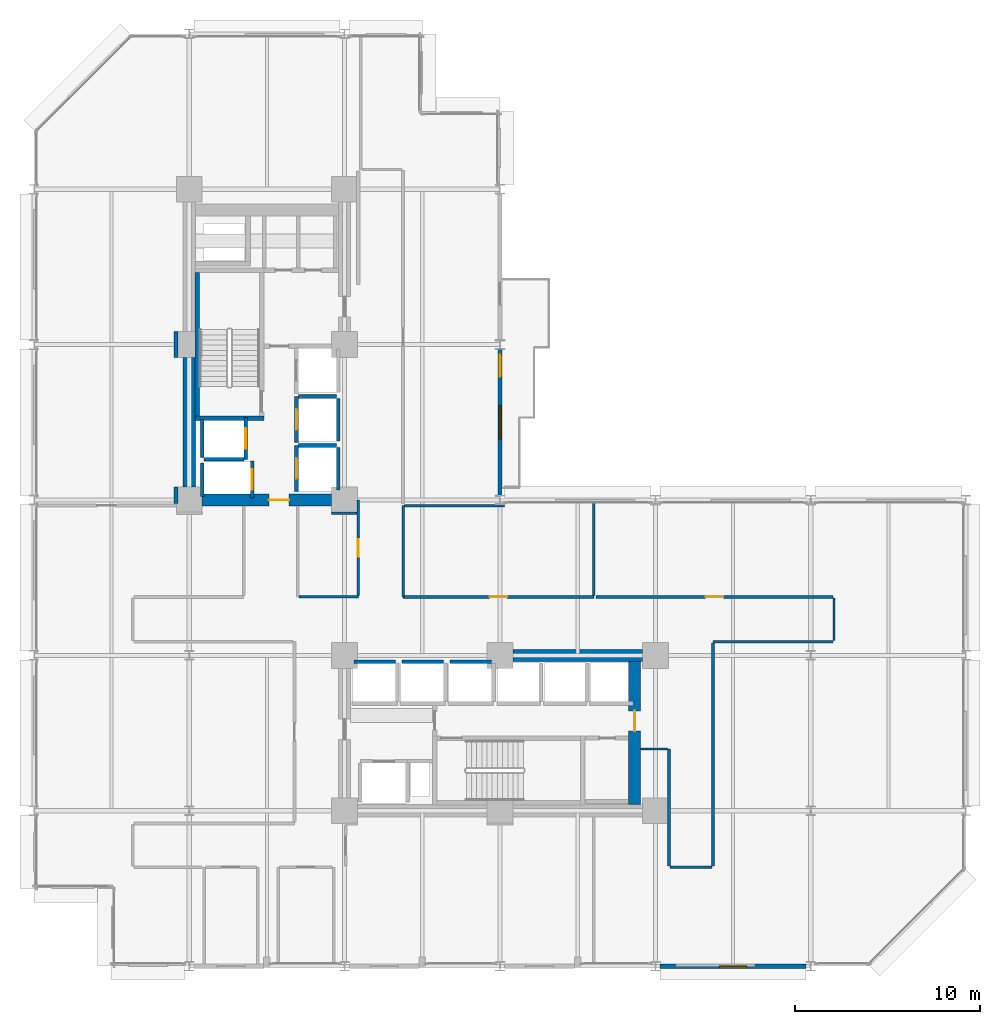
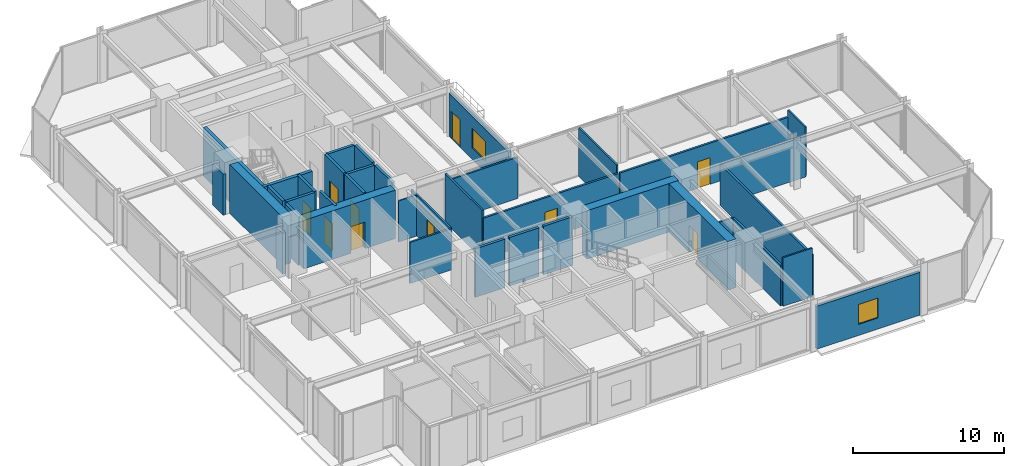
# One storey, part 21 of 25: 38 walls, 10 doors, 2 windows, 12 openings.
"""IFC4 building model written with IfcOpenShell, lengths in metres."""

from ifc_helpers import new_model, si_unit, direction, frame, frame_2d, origin, place, context, subcontext, project, spatial, rectangle, extrude, material, layer, layer_set, type_object, element, fill, save


model = new_model("IFC4")

# Units and contexts
model_context = context("Model", 3, precision=1e-05, world=origin(), true_north=direction((0.0, 1.0)))
body_context = subcontext(model_context, "Body", "Model", "MODEL_VIEW")
ifc_project = project(units=[si_unit("LENGTHUNIT", "METRE"), si_unit("AREAUNIT", "SQUARE_METRE"), si_unit("VOLUMEUNIT", "CUBIC_METRE"), si_unit("PLANEANGLEUNIT", "RADIAN"), si_unit("MASSUNIT", "GRAM", prefix="KILO")], contexts=[model_context])

# Site, building, storey
site_placement = place(None, origin())
site = spatial("IfcSite", under=ifc_project, at=site_placement, CompositionType="ELEMENT")
building_placement = place(site_placement, origin())
building = spatial("IfcBuilding", under=site, at=building_placement, Name="Nerrivon Quay Data Exchange", CompositionType="ELEMENT")
storey_placement = place(building_placement, frame((0.0, 0.0, 41.60009765625)))
storey = spatial("IfcBuildingStorey", under=building, at=storey_placement, Name="L09", CompositionType="ELEMENT", Elevation=41.60009765625)

# Wall, opening, window
ifc_material_1 = material(Name="Architectural terracotta precast concrete N50 (50 MPa)", Category="masonry")
ifc_layer_1 = layer(ifc_material_1, 0.239990234375)
ifc_layer_set_1 = layer_set([ifc_layer_1], Name="Architectural terracotta precast concrete N50 (50 MPa)")
wall_type_1 = type_object("IfcWallType", Name="EW-PREC-240", PredefinedType="STANDARD", material=ifc_layer_set_1)
wall_1_placement = place(storey_placement, frame((41.75, 0.0, 0.0), z_axis=(0.0, 0.0, 1.0), x_axis=(-1.0, 0.0, 0.0)))
wall_1 = element("IfcWall", 1, at=wall_1_placement, inside=storey, type_object=wall_type_1, Name="L09 Podium Precast Spandrel Wall 3", PredefinedType="STANDARD", context=body_context, shape_type="SweptSolid", body=[
    extrude(rectangle(XDim=7.89990234375, YDim=0.239990234375, at=frame_2d((3.949951171875, 0.0))), origin(), (0.0, 0.0, 1.0), 3.470947265625),
])
opening_1_placement = place(wall_1_placement, frame((3.199951171875, 0.0, 0.89990234375)))
opening_1 = element("IfcOpeningElement", 2, at=opening_1_placement, cuts=wall_1, Name="Opening WN4", PredefinedType="OPENING", context=body_context, shape_type="SweptSolid", body=[
    extrude(rectangle(XDim=1.5, YDim=1.60009765625, at=frame_2d((0.75, 0.800048828125))), frame((0.0, 0.1298828125, 0.0), z_axis=(0.0, -1.0, 0.0), x_axis=(1.0, 0.0, 0.0)), (0.0, 0.0, 1.0), 0.260009765625),
])
ifc_material_2 = material(Name="Double-glazed low-E solar control glass", Category="glass")
window_type_1 = type_object("IfcWindowType", Name="WIN-W4-1500x1600", PartitioningType="SINGLE_PANEL", PredefinedType="WINDOW", material=ifc_material_2)
window_1_placement = place(opening_1_placement, origin())
window_1 = element("IfcWindow", 3, at=window_1_placement, inside=storey, type_object=window_type_1, Name="L09 Solar Facade Window 3", OverallHeight=1.60009765625, OverallWidth=1.5, PartitioningType="SINGLE_PANEL", PredefinedType="WINDOW", context=body_context, shape_type="SweptSolid", body=[
    extrude(rectangle(XDim=1.5, YDim=1.60009765625, at=frame_2d((0.75, 0.800048828125))), frame((0.0, 0.030029296875, 0.0), z_axis=(0.0, -1.0, 0.0), x_axis=(1.0, 0.0, 0.0)), (0.0, 0.0, 1.0), 0.06005859375),
])
fill(opening_1, window_1)

# Wall, openings, door, window
wall_2_placement = place(storey_placement, frame((25.199951171875, 33.35009765625, 0.0), z_axis=(0.0, 0.0, 1.0), x_axis=(0.0, -1.0, 0.0)))
wall_2 = element("IfcWall", 4, at=wall_2_placement, inside=storey, type_object=wall_type_1, Name="L09 Terrace Host Wall 27", PredefinedType="STANDARD", context=body_context, shape_type="SweptSolid", body=[
    extrude(rectangle(XDim=7.900146484375, YDim=0.239990234375, at=frame_2d((3.9501953125, 0.0))), origin(), (0.0, 0.0, 1.0), 3.470947265625),
])
opening_2_placement = place(wall_2_placement, frame((0.300048828125, 0.0, 0.0)))
opening_2 = element("IfcOpeningElement", 5, at=opening_2_placement, cuts=wall_2, Name="Opening TD1", PredefinedType="OPENING", context=body_context, shape_type="SweptSolid", body=[
    extrude(rectangle(XDim=1.199951171875, YDim=2.199951171875, at=frame_2d((0.60009765625, 1.10009765625))), frame((0.0, 0.1298828125, 0.0), z_axis=(0.0, -1.0, 0.0), x_axis=(1.0, 0.0, 0.0)), (0.0, 0.0, 1.0), 0.260009765625),
])
opening_3_placement = place(wall_2_placement, frame((3.050048828125, 0.0, 0.89990234375)))
opening_3 = element("IfcOpeningElement", 6, at=opening_3_placement, cuts=wall_2, Name="Opening WN2", PredefinedType="OPENING", context=body_context, shape_type="SweptSolid", body=[
    extrude(rectangle(XDim=1.800048828125, YDim=1.60009765625, at=frame_2d((0.89990234375, 0.800048828125))), frame((0.0, 0.1298828125, 0.0), z_axis=(0.0, -1.0, 0.0), x_axis=(1.0, 0.0, 0.0)), (0.0, 0.0, 1.0), 0.260009765625),
])
door_type_1 = type_object("IfcDoorType", Name="DR-TERR-1200x2200", OperationType="NOTDEFINED", PredefinedType="DOOR", material=ifc_material_2)
door_1_placement = place(opening_2_placement, origin())
door_1 = element("IfcDoor", 7, at=door_1_placement, inside=storey, type_object=door_type_1, Name="L09 Outdoor Terrace Access Door 27", OperationType="SINGLE_SWING_RIGHT", OverallHeight=2.199951171875, OverallWidth=1.199951171875, PredefinedType="DOOR", context=body_context, shape_type="SweptSolid", body=[
    extrude(rectangle(XDim=1.199951171875, YDim=2.199951171875, at=frame_2d((0.60009765625, 1.10009765625))), frame((0.0, 0.02490234375, 0.0), z_axis=(0.0, -1.0, 0.0), x_axis=(1.0, 0.0, 0.0)), (0.0, 0.0, 1.0), 0.050048828125),
])
fill(opening_2, door_1)
window_type_2 = type_object("IfcWindowType", Name="WIN-W2-1800x1600", PartitioningType="SINGLE_PANEL", PredefinedType="WINDOW", material=ifc_material_2)
window_2_placement = place(opening_3_placement, origin())
window_2 = element("IfcWindow", 8, at=window_2_placement, inside=storey, type_object=window_type_2, Name="L09 Terrace Side Window 27", OverallHeight=1.60009765625, OverallWidth=1.800048828125, PartitioningType="SINGLE_PANEL", PredefinedType="WINDOW", context=body_context, shape_type="SweptSolid", body=[
    extrude(rectangle(XDim=1.800048828125, YDim=1.60009765625, at=frame_2d((0.89990234375, 0.800048828125))), frame((0.0, 0.030029296875, 0.0), z_axis=(0.0, -1.0, 0.0), x_axis=(1.0, 0.0, 0.0)), (0.0, 0.0, 1.0), 0.06005859375),
])
fill(opening_3, window_2)

# Wall
ifc_material_3 = material(Name="Concrete N80 (80 MPa)", Category="concrete")
ifc_layer_2 = layer(ifc_material_3, 0.64990234375)
ifc_layer_set_2 = layer_set([ifc_layer_2], Name="Concrete N80 (80 MPa)")
wall_type_2 = type_object("IfcWallType", Name="WALL-CW-850", PredefinedType="SHEAR", material=ifc_layer_set_2)
wall_3_placement = place(storey_placement, frame((8.39990234375, 25.89990234375, 0.0), z_axis=(0.0, 0.0, 1.0), x_axis=(0.0, 1.0, 0.0)))
element("IfcWall", 9, at=wall_3_placement, inside=storey, type_object=wall_type_2, Name="L09 West Split-Core Shear Wall WCW-W1", PredefinedType="SHEAR", context=body_context, shape_type="SweptSolid", body=[
    extrude(rectangle(XDim=7.0, YDim=0.64990234375, at=frame_2d((3.5, 0.0))), origin(), (0.0, 0.0, 1.0), 3.9248046875),
])

# Wall, opening, door
wall_4_placement = place(storey_placement, frame((9.10009765625, 25.199951171875, 0.0), z_axis=(0.0, 0.0, 1.0), x_axis=(1.0, 0.0, 0.0)))
wall_4 = element("IfcWall", 10, at=wall_4_placement, inside=storey, type_object=wall_type_2, Name="L09 West Split-Core Shear Wall WCW-S1", PredefinedType="SHEAR", context=body_context, shape_type="SweptSolid", body=[
    extrude(rectangle(XDim=7.0, YDim=0.64990234375, at=frame_2d((3.5, 0.0))), origin(), (0.0, 0.0, 1.0), 3.9248046875),
])
opening_4_placement = place(wall_4_placement, frame((3.60009765625, 0.0, 0.0)))
opening_4 = element("IfcOpeningElement", 11, at=opening_4_placement, cuts=wall_4, Name="Opening FD-120", PredefinedType="OPENING", context=body_context, shape_type="SweptSolid", body=[
    extrude(rectangle(XDim=1.10009765625, YDim=2.14990234375, at=frame_2d((0.550048828125, 1.074951171875))), frame((0.0, 0.3349609375, 0.0), z_axis=(0.0, -1.0, 0.0), x_axis=(1.0, 0.0, 0.0)), (0.0, 0.0, 1.0), 0.669921875),
])
ifc_material_4 = material(Name="Powder-coated galvanized steel sheet", Category="steel")
door_type_2 = type_object("IfcDoorType", Name="DR-FD120-1100", OperationType="NOTDEFINED", PredefinedType="DOOR", material=ifc_material_4)
door_2_placement = place(opening_4_placement, origin())
door_2 = element("IfcDoor", 12, at=door_2_placement, inside=storey, type_object=door_type_2, Name="L09 West Core Lobby Fire Door", OperationType="SINGLE_SWING_RIGHT", OverallHeight=2.14990234375, OverallWidth=1.10009765625, PredefinedType="DOOR", context=body_context, shape_type="SweptSolid", body=[
    extrude(rectangle(XDim=1.10009765625, YDim=2.14990234375, at=frame_2d((0.550048828125, 1.074951171875))), frame((0.0, 0.02490234375, 0.0), z_axis=(0.0, -1.0, 0.0), x_axis=(1.0, 0.0, 0.0)), (0.0, 0.0, 1.0), 0.050048828125),
])
fill(opening_4, door_2)

wall_5_placement = place(storey_placement, frame((32.47509765625, 8.72509765625, 0.0), z_axis=(0.0, 0.0, 1.0), x_axis=(0.0, 1.0, 0.0)))
wall_5 = element("IfcWall", 13, at=wall_5_placement, inside=storey, type_object=wall_type_2, Name="L09 East Split-Core Shear Wall ECW-E1", PredefinedType="SHEAR", context=body_context, shape_type="SweptSolid", body=[
    extrude(rectangle(XDim=7.75, YDim=0.64990234375, at=frame_2d((3.875, 0.0))), origin(), (0.0, 0.0, 1.0), 3.9248046875),
])
opening_5_placement = place(wall_5_placement, frame((3.97509765625, 0.0, 0.0)))
opening_5 = element("IfcOpeningElement", 14, at=opening_5_placement, cuts=wall_5, Name="Opening FD-120", PredefinedType="OPENING", context=body_context, shape_type="SweptSolid", body=[
    extrude(rectangle(XDim=1.10009765625, YDim=2.14990234375, at=frame_2d((0.550048828125, 1.074951171875))), frame((0.0, 0.3349609375, 0.0), z_axis=(0.0, -1.0, 0.0), x_axis=(1.0, 0.0, 0.0)), (0.0, 0.0, 1.0), 0.669921875),
])
door_3_placement = place(opening_5_placement, origin())
door_3 = element("IfcDoor", 15, at=door_3_placement, inside=storey, type_object=door_type_2, Name="L09 East Core Lobby Fire Door", OperationType="SINGLE_SWING_LEFT", OverallHeight=2.14990234375, OverallWidth=1.10009765625, PredefinedType="DOOR", context=body_context, shape_type="SweptSolid", body=[
    extrude(rectangle(XDim=1.10009765625, YDim=2.14990234375, at=frame_2d((0.550048828125, 1.074951171875))), frame((0.0, 0.02490234375, 0.0), z_axis=(0.0, -1.0, 0.0), x_axis=(1.0, 0.0, 0.0)), (0.0, 0.0, 1.0), 0.050048828125),
])
fill(opening_5, door_3)

# Wall
wall_6_placement = place(storey_placement, frame((25.89990234375, 16.800048828125, 0.0), z_axis=(0.0, 0.0, 1.0), x_axis=(1.0, 0.0, 0.0)))
element("IfcWall", 16, at=wall_6_placement, inside=storey, type_object=wall_type_2, Name="L09 East Split-Core Shear Wall ECW-N1", PredefinedType="SHEAR", context=body_context, shape_type="SweptSolid", body=[
    extrude(rectangle(XDim=7.0, YDim=0.64990234375, at=frame_2d((3.5, 0.0))), origin(), (0.0, 0.0, 1.0), 3.9248046875),
])

# Wall, opening, door
ifc_material_5 = material(Name="Gypsum plasterboard on cold-formed framing", Category="gypsum")
ifc_layer_3 = layer(ifc_material_5, 0.199951171875)
ifc_layer_set_3 = layer_set([ifc_layer_3], Name="Gypsum plasterboard on cold-formed framing")
wall_type_3 = type_object("IfcWallType", Name="WALL-FW-200", PredefinedType="PARTITIONING", material=ifc_layer_set_3)
wall_7_placement = place(storey_placement, frame((11.449951171875, 27.39990234375, 0.0), z_axis=(0.0, 0.0, 1.0), x_axis=(0.0, 1.0, 0.0)))
wall_7 = element("IfcWall", 17, at=wall_7_placement, inside=storey, type_object=wall_type_3, Name="L09 Lift Front Wall FFL-1", PredefinedType="PARTITIONING", context=body_context, shape_type="SweptSolid", body=[
    extrude(rectangle(XDim=2.25, YDim=0.199951171875, at=frame_2d((1.125, 0.0))), origin(), (0.0, 0.0, 1.0), 3.9248046875),
])
opening_6_placement = place(wall_7_placement, frame((0.574951171875, 0.0, 0.0)))
opening_6 = element("IfcOpeningElement", 18, at=opening_6_placement, cuts=wall_7, Name="Opening LD-120", PredefinedType="OPENING", context=body_context, shape_type="SweptSolid", body=[
    extrude(rectangle(XDim=1.10009765625, YDim=2.199951171875, at=frame_2d((0.550048828125, 1.10009765625))), frame((0.0, 0.10986328125, 0.0), z_axis=(0.0, -1.0, 0.0), x_axis=(1.0, 0.0, 0.0)), (0.0, 0.0, 1.0), 0.219970703125),
])
door_type_3 = type_object("IfcDoorType", Name="DR-LIFT-LD120", OperationType="DOUBLE_DOOR_SLIDING", PredefinedType="DOOR", material=ifc_material_4)
door_4_placement = place(opening_6_placement, origin())
door_4 = element("IfcDoor", 19, at=door_4_placement, inside=storey, type_object=door_type_3, Name="L09 Lift Landing Sliding Door FFL-1", OperationType="DOUBLE_DOOR_SLIDING", OverallHeight=2.199951171875, OverallWidth=1.10009765625, PredefinedType="DOOR", context=body_context, shape_type="SweptSolid", body=[
    extrude(rectangle(XDim=1.10009765625, YDim=2.199951171875, at=frame_2d((0.550048828125, 1.10009765625))), frame((0.0, 0.02490234375, 0.0), z_axis=(0.0, -1.0, 0.0), x_axis=(1.0, 0.0, 0.0)), (0.0, 0.0, 1.0), 0.050048828125),
])
fill(opening_6, door_4)

# Walls
wall_8_placement = place(storey_placement, frame((9.10009765625, 27.5, 0.0), z_axis=(0.0, 0.0, 1.0), x_axis=(0.0, 1.0, 0.0)))
element("IfcWall", 20, at=wall_8_placement, inside=storey, type_object=wall_type_3, Name="L09 Lift Shaft Wall FFL-1 WEST", PredefinedType="PARTITIONING", context=body_context, shape_type="SweptSolid", body=[
    extrude(rectangle(XDim=2.050048828125, YDim=0.199951171875, at=frame_2d((1.02490234375, 0.0))), origin(), (0.0, 0.0, 1.0), 3.9248046875),
])
wall_9_placement = place(storey_placement, frame((9.199951171875, 27.39990234375, 0.0), z_axis=(0.0, 0.0, 1.0), x_axis=(1.0, 0.0, 0.0)))
element("IfcWall", 21, at=wall_9_placement, inside=storey, type_object=wall_type_3, Name="L09 Lift Shaft Wall FFL-1 SOUTH", PredefinedType="PARTITIONING", context=body_context, shape_type="SweptSolid", body=[
    extrude(rectangle(XDim=2.150146484375, YDim=0.199951171875, at=frame_2d((1.0751953125, 0.0))), origin(), (0.0, 0.0, 1.0), 3.9248046875),
])

# Wall, opening, door
wall_10_placement = place(storey_placement, frame((11.800048828125, 25.300048828125, 0.0), z_axis=(0.0, 0.0, 1.0), x_axis=(0.0, 1.0, 0.0)))
wall_10 = element("IfcWall", 22, at=wall_10_placement, inside=storey, type_object=wall_type_3, Name="L09 Lift Front Wall SVL-1", PredefinedType="PARTITIONING", context=body_context, shape_type="SweptSolid", body=[
    extrude(rectangle(XDim=2.0, YDim=0.199951171875, at=frame_2d((1.0, 0.0))), origin(), (0.0, 0.0, 1.0), 3.9248046875),
])
opening_7_placement = place(wall_10_placement, frame((0.449951171875, 0.0, 0.0)))
opening_7 = element("IfcOpeningElement", 23, at=opening_7_placement, cuts=wall_10, Name="Opening LD-120", PredefinedType="OPENING", context=body_context, shape_type="SweptSolid", body=[
    extrude(rectangle(XDim=1.10009765625, YDim=2.199951171875, at=frame_2d((0.550048828125, 1.10009765625))), frame((0.0, 0.10986328125, 0.0), z_axis=(0.0, -1.0, 0.0), x_axis=(1.0, 0.0, 0.0)), (0.0, 0.0, 1.0), 0.219970703125),
])
door_5_placement = place(opening_7_placement, origin())
door_5 = element("IfcDoor", 24, at=door_5_placement, inside=storey, type_object=door_type_3, Name="L09 Lift Landing Sliding Door SVL-1", OperationType="DOUBLE_DOOR_SLIDING", OverallHeight=2.199951171875, OverallWidth=1.10009765625, PredefinedType="DOOR", context=body_context, shape_type="SweptSolid", body=[
    extrude(rectangle(XDim=1.10009765625, YDim=2.199951171875, at=frame_2d((0.550048828125, 1.10009765625))), frame((0.0, 0.02490234375, 0.0), z_axis=(0.0, -1.0, 0.0), x_axis=(1.0, 0.0, 0.0)), (0.0, 0.0, 1.0), 0.050048828125),
])
fill(opening_7, door_5)

# Wall
wall_11_placement = place(storey_placement, frame((9.10009765625, 25.39990234375, 0.0), z_axis=(0.0, 0.0, 1.0), x_axis=(0.0, 1.0, 0.0)))
element("IfcWall", 25, at=wall_11_placement, inside=storey, type_object=wall_type_3, Name="L09 Lift Shaft Wall SVL-1 WEST", PredefinedType="PARTITIONING", context=body_context, shape_type="SweptSolid", body=[
    extrude(rectangle(XDim=1.800048828125, YDim=0.199951171875, at=frame_2d((0.89990234375, 0.0))), origin(), (0.0, 0.0, 1.0), 3.9248046875),
])

# Wall, opening, door
wall_12_placement = place(storey_placement, frame((14.199951171875, 25.64990234375, 0.0), z_axis=(0.0, 0.0, 1.0), x_axis=(0.0, 1.0, 0.0)))
wall_12 = element("IfcWall", 26, at=wall_12_placement, inside=storey, type_object=wall_type_3, Name="L09 Lift Front Wall PL1", PredefinedType="PARTITIONING", context=body_context, shape_type="SweptSolid", body=[
    extrude(rectangle(XDim=2.5, YDim=0.199951171875, at=frame_2d((1.25, 0.0))), origin(), (0.0, 0.0, 1.0), 3.9248046875),
])
opening_8_placement = place(wall_12_placement, frame((0.699951171875, 0.0, 0.0)))
opening_8 = element("IfcOpeningElement", 27, at=opening_8_placement, cuts=wall_12, Name="Opening LD-120", PredefinedType="OPENING", context=body_context, shape_type="SweptSolid", body=[
    extrude(rectangle(XDim=1.10009765625, YDim=2.199951171875, at=frame_2d((0.550048828125, 1.10009765625))), frame((0.0, 0.10986328125, 0.0), z_axis=(0.0, -1.0, 0.0), x_axis=(1.0, 0.0, 0.0)), (0.0, 0.0, 1.0), 0.219970703125),
])
door_6_placement = place(opening_8_placement, origin())
door_6 = element("IfcDoor", 28, at=door_6_placement, inside=storey, type_object=door_type_3, Name="L09 Lift Landing Sliding Door PL1", OperationType="DOUBLE_DOOR_SLIDING", OverallHeight=2.199951171875, OverallWidth=1.10009765625, PredefinedType="DOOR", context=body_context, shape_type="SweptSolid", body=[
    extrude(rectangle(XDim=1.10009765625, YDim=2.199951171875, at=frame_2d((0.550048828125, 1.10009765625))), frame((0.0, 0.02490234375, 0.0), z_axis=(0.0, -1.0, 0.0), x_axis=(1.0, 0.0, 0.0)), (0.0, 0.0, 1.0), 0.050048828125),
])
fill(opening_8, door_6)

# Walls
wall_13_placement = place(storey_placement, frame((16.449951171875, 25.75, 0.0), z_axis=(0.0, 0.0, 1.0), x_axis=(0.0, 1.0, 0.0)))
element("IfcWall", 29, at=wall_13_placement, inside=storey, type_object=wall_type_3, Name="L09 Lift Shaft Wall PL1 EAST", PredefinedType="PARTITIONING", context=body_context, shape_type="SweptSolid", body=[
    extrude(rectangle(XDim=2.300048828125, YDim=0.199951171875, at=frame_2d((1.14990234375, 0.0))), origin(), (0.0, 0.0, 1.0), 3.9248046875),
])
wall_14_placement = place(storey_placement, frame((14.300048828125, 28.14990234375, 0.0), z_axis=(0.0, 0.0, 1.0), x_axis=(1.0, 0.0, 0.0)))
element("IfcWall", 30, at=wall_14_placement, inside=storey, type_object=wall_type_3, Name="L09 Lift Shaft Wall PL1 NORTH", PredefinedType="PARTITIONING", context=body_context, shape_type="SweptSolid", body=[
    extrude(rectangle(XDim=2.050048828125, YDim=0.199951171875, at=frame_2d((1.02490234375, 0.0))), origin(), (0.0, 0.0, 1.0), 3.9248046875),
])

# Wall, opening, door
wall_15_placement = place(storey_placement, frame((14.199951171875, 28.300048828125, 0.0), z_axis=(0.0, 0.0, 1.0), x_axis=(0.0, 1.0, 0.0)))
wall_15 = element("IfcWall", 31, at=wall_15_placement, inside=storey, type_object=wall_type_3, Name="L09 Lift Front Wall PL2", PredefinedType="PARTITIONING", context=body_context, shape_type="SweptSolid", body=[
    extrude(rectangle(XDim=2.5, YDim=0.199951171875, at=frame_2d((1.25, 0.0))), origin(), (0.0, 0.0, 1.0), 3.9248046875),
])
opening_9_placement = place(wall_15_placement, frame((0.699951171875, 0.0, 0.0)))
opening_9 = element("IfcOpeningElement", 32, at=opening_9_placement, cuts=wall_15, Name="Opening LD-120", PredefinedType="OPENING", context=body_context, shape_type="SweptSolid", body=[
    extrude(rectangle(XDim=1.10009765625, YDim=2.199951171875, at=frame_2d((0.550048828125, 1.10009765625))), frame((0.0, 0.10986328125, 0.0), z_axis=(0.0, -1.0, 0.0), x_axis=(1.0, 0.0, 0.0)), (0.0, 0.0, 1.0), 0.219970703125),
])
door_7_placement = place(opening_9_placement, origin())
door_7 = element("IfcDoor", 33, at=door_7_placement, inside=storey, type_object=door_type_3, Name="L09 Lift Landing Sliding Door PL2", OperationType="DOUBLE_DOOR_SLIDING", OverallHeight=2.199951171875, OverallWidth=1.10009765625, PredefinedType="DOOR", context=body_context, shape_type="SweptSolid", body=[
    extrude(rectangle(XDim=1.10009765625, YDim=2.199951171875, at=frame_2d((0.550048828125, 1.10009765625))), frame((0.0, 0.02490234375, 0.0), z_axis=(0.0, -1.0, 0.0), x_axis=(1.0, 0.0, 0.0)), (0.0, 0.0, 1.0), 0.050048828125),
])
fill(opening_9, door_7)

# Walls
wall_16_placement = place(storey_placement, frame((16.449951171875, 28.39990234375, 0.0), z_axis=(0.0, 0.0, 1.0), x_axis=(0.0, 1.0, 0.0)))
element("IfcWall", 34, at=wall_16_placement, inside=storey, type_object=wall_type_3, Name="L09 Lift Shaft Wall PL2 EAST", PredefinedType="PARTITIONING", context=body_context, shape_type="SweptSolid", body=[
    extrude(rectangle(XDim=2.300048828125, YDim=0.199951171875, at=frame_2d((1.14990234375, 0.0))), origin(), (0.0, 0.0, 1.0), 3.9248046875),
])
wall_17_placement = place(storey_placement, frame((14.300048828125, 30.800048828125, 0.0), z_axis=(0.0, 0.0, 1.0), x_axis=(1.0, 0.0, 0.0)))
element("IfcWall", 35, at=wall_17_placement, inside=storey, type_object=wall_type_3, Name="L09 Lift Shaft Wall PL2 NORTH", PredefinedType="PARTITIONING", context=body_context, shape_type="SweptSolid", body=[
    extrude(rectangle(XDim=2.050048828125, YDim=0.199951171875, at=frame_2d((1.02490234375, 0.0))), origin(), (0.0, 0.0, 1.0), 3.9248046875),
])
for number, where, z_axis, x_axis, name in (
    (36, (17.300048828125, 16.449951171875, 0.0), (0.0, 0.0, 1.0), (1.0, 0.0, 0.0), "L09 Lift Shaft Wall PL4 NORTH"),
    (37, (19.89990234375, 16.449951171875, 0.0), (0.0, 0.0, 1.0), (1.0, 0.0, 0.0), "L09 Lift Shaft Wall PL5 NORTH"),
    (38, (22.5, 16.449951171875, 0.0), (0.0, 0.0, 1.0), (1.0, 0.0, 0.0), "L09 Lift Shaft Wall PL6 NORTH"),
):
    element("IfcWall", number, at=place(storey_placement, frame(where, z_axis=z_axis, x_axis=x_axis)), inside=storey, type_object=wall_type_3, Name=name, PredefinedType="PARTITIONING", context=body_context, shape_type="SweptSolid", body=[
        extrude(rectangle(XDim=2.25, YDim=0.199951171875, at=frame_2d((1.125, 0.0))), origin(), (0.0, 0.0, 1.0), 3.9248046875),
    ])
wall_18_placement = place(storey_placement, frame((7.679931640625, 25.020751953125, 0.0), z_axis=(0.0, 0.0, 1.0), x_axis=(0.0, 1.0, 0.0)))
element("IfcWall", 39, at=wall_18_placement, inside=storey, type_object=wall_type_3, Name="L09 Partition Colocation Data Workspace 1", PredefinedType="PARTITIONING", context=body_context, shape_type="SweptSolid", body=[
    extrude(rectangle(XDim=0.879150390625, YDim=0.199951171875, at=frame_2d((0.439453125, 0.0))), origin(), (0.0, 0.0, 1.0), 3.31298828125),
])
wall_19_placement = place(storey_placement, frame((7.680908203125, 32.894287109375, 0.0), z_axis=(0.0, 0.0, 1.0), x_axis=(-0.000694685487, 0.999999758706, 0.0)))
element("IfcWall", 40, at=wall_19_placement, inside=storey, type_object=wall_type_3, Name="L09 Partition Colocation Data Workspace 1", PredefinedType="PARTITIONING", context=body_context, shape_type="SweptSolid", body=[
    extrude(rectangle(XDim=1.40576171875, YDim=0.199951171875, at=frame_2d((0.702880859375, 0.0))), origin(), (0.0, 0.0, 1.0), 3.31298828125),
])
ifc_layer_4 = layer(ifc_material_5, 0.1201171875)
ifc_layer_set_4 = layer_set([ifc_layer_4], Name="Gypsum plasterboard on cold-formed framing")
wall_type_4 = type_object("IfcWallType", Name="WALL-PT-120", PredefinedType="PARTITIONING", material=ifc_layer_set_4)
wall_20_placement = place(storey_placement, frame((17.468505859375, 24.48046875, 0.0), z_axis=(0.0, 0.0, 1.0), x_axis=(-0.99999993688, 0.000355302873, 0.0)))
element("IfcWall", 41, at=wall_20_placement, inside=storey, type_object=wall_type_4, Name="L09 Partition Staff Pantry", PredefinedType="PARTITIONING", context=body_context, shape_type="SweptSolid", body=[
    extrude(rectangle(XDim=1.374267578125, YDim=0.1201171875, at=frame_2d((0.68701171875, 0.0))), origin(), (0.0, 0.0, 1.0), 3.322998046875),
])
wall_21_placement = place(storey_placement, frame((43.260009765625, 19.89990234375, 0.0), z_axis=(0.0, 0.0, 1.0), x_axis=(0.0, -1.0, 0.0)))
element("IfcWall", 42, at=wall_21_placement, inside=storey, type_object=wall_type_4, Name="L09 Partition Optical Engineering Studios Workspace", PredefinedType="PARTITIONING", context=body_context, shape_type="SweptSolid", body=[
    extrude(rectangle(XDim=2.2998046875, YDim=0.1201171875, at=frame_2d((1.14990234375, 0.0))), origin(), (0.0, 0.0, 1.0), 3.9248046875),
])
wall_22_placement = place(storey_placement, frame((36.64990234375, 5.340087890625, 0.0), z_axis=(0.0, 0.0, 1.0), x_axis=(-1.0, 0.0, 0.0)))
element("IfcWall", 43, at=wall_22_placement, inside=storey, type_object=wall_type_4, Name="L09 Partition Optical Engineering Studios Workspace", PredefinedType="PARTITIONING", context=body_context, shape_type="SweptSolid", body=[
    extrude(rectangle(XDim=2.25, YDim=0.1201171875, at=frame_2d((1.125, 0.0))), origin(), (0.0, 0.0, 1.0), 3.9248046875),
])
wall_23_placement = place(storey_placement, frame((34.260986328125, 11.739990234375, 0.0), z_axis=(0.0, 0.0, 1.0), x_axis=(-1.0, 0.0, 0.0)))
element("IfcWall", 44, at=wall_23_placement, inside=storey, type_object=wall_type_4, Name="L09 Partition Optical Engineering Studios Workspace", PredefinedType="PARTITIONING", context=body_context, shape_type="SweptSolid", body=[
    extrude(rectangle(XDim=1.45703125, YDim=0.1201171875, at=frame_2d((0.728515625, 0.0))), origin(), (0.0, 0.0, 1.0), 3.322998046875),
])
ifc_layer_5 = layer(ifc_material_5, 0.135009765625)
ifc_layer_set_5 = layer_set([ifc_layer_5], Name="Gypsum plasterboard on cold-formed framing")
wall_type_5 = type_object("IfcWallType", Name="WALL-PT-135", PredefinedType="PARTITIONING", material=ifc_layer_set_5)
wall_24_placement = place(storey_placement, frame((14.33154296875, 19.9599609375, 0.0), z_axis=(0.0, 0.0, 1.0), x_axis=(1.0, 0.0, 0.0)))
element("IfcWall", 45, at=wall_24_placement, inside=storey, type_object=wall_type_5, Name="L09 Partition Staff Pantry", PredefinedType="PARTITIONING", context=body_context, shape_type="SweptSolid", body=[
    extrude(rectangle(XDim=3.20849609375, YDim=0.135009765625, at=frame_2d((1.604248046875, 0.0))), origin(), (0.0, 0.0, 1.0), 3.322998046875),
])

# Wall, opening, door
wall_25_placement = place(storey_placement, frame((17.5400390625, 20.031494140625, 0.0), z_axis=(0.0, 0.0, 1.0), x_axis=(0.0, 1.0, 0.0)))
wall_25 = element("IfcWall", 46, at=wall_25_placement, inside=storey, type_object=wall_type_5, Name="L09 Partition Staff Pantry", PredefinedType="PARTITIONING", context=body_context, shape_type="SweptSolid", body=[
    extrude(rectangle(XDim=5.16845703125, YDim=0.135009765625, at=frame_2d((2.584228515625, 0.0))), origin(), (0.0, 0.0, 1.0), 3.31298828125),
])
opening_10_placement = place(wall_25_placement, frame((2.109130859375, 0.0, 0.0)))
opening_10 = element("IfcOpeningElement", 47, at=opening_10_placement, cuts=wall_25, Name="Opening D-01", PredefinedType="OPENING", context=body_context, shape_type="SweptSolid", body=[
    extrude(rectangle(XDim=0.949951171875, YDim=2.14990234375, at=frame_2d((0.47509765625, 1.074951171875))), frame((0.0, 0.077392578125, 0.0), z_axis=(0.0, -1.0, 0.0), x_axis=(1.0, 0.0, 0.0)), (0.0, 0.0, 1.0), 0.155029296875),
])
ifc_material_6 = material(Name="Engineered hardwood timber", Category="wood")
door_type_4 = type_object("IfcDoorType", Name="DR-INT-950", OperationType="NOTDEFINED", PredefinedType="DOOR", material=ifc_material_6)
door_8_placement = place(opening_10_placement, origin())
door_8 = element("IfcDoor", 48, at=door_8_placement, inside=storey, type_object=door_type_4, Name="L09 Door Staff Pantry", OperationType="SINGLE_SWING_RIGHT", OverallHeight=2.14990234375, OverallWidth=0.949951171875, PredefinedType="DOOR", context=body_context, shape_type="SweptSolid", body=[
    extrude(rectangle(XDim=0.949951171875, YDim=2.14990234375, at=frame_2d((0.47509765625, 1.074951171875))), frame((0.0, 0.02490234375, 0.0), z_axis=(0.0, -1.0, 0.0), x_axis=(1.0, 0.0, 0.0)), (0.0, 0.0, 1.0), 0.050048828125),
])
fill(opening_10, door_8)

# Walls
wall_26_placement = place(storey_placement, frame((19.9599609375, 24.90087890625, 0.0), z_axis=(0.0, 0.0, 1.0), x_axis=(0.0, -1.0, 0.0)))
element("IfcWall", 49, at=wall_26_placement, inside=storey, type_object=wall_type_5, Name="L09 Partition Client Conference Room 1", PredefinedType="PARTITIONING", context=body_context, shape_type="SweptSolid", body=[
    extrude(rectangle(XDim=4.94091796875, YDim=0.135009765625, at=frame_2d((2.470458984375, 0.0))), origin(), (0.0, 0.0, 1.0), 3.9248046875),
])
wall_27_placement = place(storey_placement, frame((30.268798828125, 20.0390625, 0.0), z_axis=(0.0, 0.0, 1.0), x_axis=(0.0, 1.0, 0.0)))
element("IfcWall", 50, at=wall_27_placement, inside=storey, type_object=wall_type_5, Name="L09 Partition Client Conference Room 1", PredefinedType="PARTITIONING", context=body_context, shape_type="SweptSolid", body=[
    extrude(rectangle(XDim=4.991943359375, YDim=0.135009765625, at=frame_2d((2.49609375, 0.0))), origin(), (0.0, 0.0, 1.0), 3.9248046875),
])
wall_28_placement = place(storey_placement, frame((25.449951171875, 24.90087890625, 0.0), z_axis=(0.0, 0.0, 1.0), x_axis=(-1.0, 0.0, 0.0)))
element("IfcWall", 51, at=wall_28_placement, inside=storey, type_object=wall_type_5, Name="L09 Partition Client Conference Room 1", PredefinedType="PARTITIONING", context=body_context, shape_type="SweptSolid", body=[
    extrude(rectangle(XDim=5.41845703125, YDim=0.135009765625, at=frame_2d((2.709228515625, 0.0))), origin(), (0.0, 0.0, 1.0), 3.322998046875),
])

# Wall, opening, door
ifc_layer_6 = layer(ifc_material_5, 0.14990234375)
ifc_layer_set_6 = layer_set([ifc_layer_6], Name="Gypsum plasterboard on cold-formed framing")
wall_type_6 = type_object("IfcWallType", Name="WALL-PT-150", PredefinedType="PARTITIONING", material=ifc_layer_set_6)
wall_29_placement = place(storey_placement, frame((19.9599609375, 19.9599609375, 0.0), z_axis=(0.0, 0.0, 1.0), x_axis=(1.0, 0.0, 0.0)))
wall_29 = element("IfcWall", 52, at=wall_29_placement, inside=storey, type_object=wall_type_6, Name="L09 Partition Client Conference Room 1", PredefinedType="PARTITIONING", context=body_context, shape_type="SweptSolid", body=[
    extrude(rectangle(XDim=10.308837890625, YDim=0.14990234375, at=frame_2d((5.154296875, 0.0))), origin(), (0.0, 0.0, 1.0), 3.322998046875),
])
opening_11_placement = place(wall_29_placement, frame((4.679443359375, 0.0, 0.0)))
opening_11 = element("IfcOpeningElement", 53, at=opening_11_placement, cuts=wall_29, Name="Opening D-01", PredefinedType="OPENING", context=body_context, shape_type="SweptSolid", body=[
    extrude(rectangle(XDim=0.949951171875, YDim=2.14990234375, at=frame_2d((0.47509765625, 1.074951171875))), frame((0.0, 0.0849609375, 0.0), z_axis=(0.0, -1.0, 0.0), x_axis=(1.0, 0.0, 0.0)), (0.0, 0.0, 1.0), 0.169921875),
])
door_9_placement = place(opening_11_placement, origin())
door_9 = element("IfcDoor", 54, at=door_9_placement, inside=storey, type_object=door_type_4, Name="L09 Door Client Conference Room 1", OperationType="SINGLE_SWING_LEFT", OverallHeight=2.14990234375, OverallWidth=0.949951171875, PredefinedType="DOOR", context=body_context, shape_type="SweptSolid", body=[
    extrude(rectangle(XDim=0.949951171875, YDim=2.14990234375, at=frame_2d((0.47509765625, 1.074951171875))), frame((0.0, 0.02490234375, 0.0), z_axis=(0.0, -1.0, 0.0), x_axis=(1.0, 0.0, 0.0)), (0.0, 0.0, 1.0), 0.050048828125),
])
fill(opening_11, door_9)

wall_30_placement = place(storey_placement, frame((30.388916015625, 19.9599609375, 0.0), z_axis=(0.0, 0.0, 1.0), x_axis=(1.0, 0.0, 0.0)))
wall_30 = element("IfcWall", 55, at=wall_30_placement, inside=storey, type_object=wall_type_6, Name="L09 Partition Optical Engineering Studios Workspace", PredefinedType="PARTITIONING", context=body_context, shape_type="SweptSolid", body=[
    extrude(rectangle(XDim=12.81103515625, YDim=0.14990234375, at=frame_2d((6.405517578125, 0.0))), origin(), (0.0, 0.0, 1.0), 3.322998046875),
])
opening_12_placement = place(wall_30_placement, frame((5.9306640625, 0.0, 0.0)))
opening_12 = element("IfcOpeningElement", 56, at=opening_12_placement, cuts=wall_30, Name="Opening D-01", PredefinedType="OPENING", context=body_context, shape_type="SweptSolid", body=[
    extrude(rectangle(XDim=0.949951171875, YDim=2.14990234375, at=frame_2d((0.47509765625, 1.074951171875))), frame((0.0, 0.0849609375, 0.0), z_axis=(0.0, -1.0, 0.0), x_axis=(1.0, 0.0, 0.0)), (0.0, 0.0, 1.0), 0.169921875),
])
door_10_placement = place(opening_12_placement, origin())
door_10 = element("IfcDoor", 57, at=door_10_placement, inside=storey, type_object=door_type_4, Name="L09 Door Optical Engineering Studios Workspace", OperationType="SINGLE_SWING_RIGHT", OverallHeight=2.14990234375, OverallWidth=0.949951171875, PredefinedType="DOOR", context=body_context, shape_type="SweptSolid", body=[
    extrude(rectangle(XDim=0.949951171875, YDim=2.14990234375, at=frame_2d((0.47509765625, 1.074951171875))), frame((0.0, 0.02490234375, 0.0), z_axis=(0.0, -1.0, 0.0), x_axis=(1.0, 0.0, 0.0)), (0.0, 0.0, 1.0), 0.050048828125),
])
fill(opening_12, door_10)

# Walls
wall_31_placement = place(storey_placement, frame((43.199951171875, 17.5400390625, 0.0), z_axis=(0.0, 0.0, 1.0), x_axis=(-1.0, 0.0, 0.0)))
element("IfcWall", 58, at=wall_31_placement, inside=storey, type_object=wall_type_6, Name="L09 Partition Optical Engineering Studios Workspace", PredefinedType="PARTITIONING", context=body_context, shape_type="SweptSolid", body=[
    extrude(rectangle(XDim=6.489990234375, YDim=0.14990234375, at=frame_2d((3.2451171875, 0.0))), origin(), (0.0, 0.0, 1.0), 3.322998046875),
])
wall_32_placement = place(storey_placement, frame((36.7099609375, 17.4609375, 0.0), z_axis=(0.0, 0.0, 1.0), x_axis=(0.0, -1.0, 0.0)))
element("IfcWall", 59, at=wall_32_placement, inside=storey, type_object=wall_type_6, Name="L09 Partition Optical Engineering Studios Workspace", PredefinedType="PARTITIONING", context=body_context, shape_type="SweptSolid", body=[
    extrude(rectangle(XDim=12.06103515625, YDim=0.14990234375, at=frame_2d((6.030517578125, 0.0))), origin(), (0.0, 0.0, 1.0), 3.31298828125),
])
wall_33_placement = place(storey_placement, frame((34.340087890625, 5.39990234375, 0.0), z_axis=(0.0, 0.0, 1.0), x_axis=(0.0, 1.0, 0.0)))
element("IfcWall", 60, at=wall_33_placement, inside=storey, type_object=wall_type_6, Name="L09 Partition Optical Engineering Studios Workspace", PredefinedType="PARTITIONING", context=body_context, shape_type="SweptSolid", body=[
    extrude(rectangle(XDim=6.340087890625, YDim=0.14990234375, at=frame_2d((3.169921875, 0.0))), origin(), (0.0, 0.0, 1.0), 3.31298828125),
])
ifc_material_7 = material(Name="Concrete N50 (50 MPa)", Category="concrete")
ifc_layer_7 = layer(ifc_material_7, 0.25)
ifc_layer_set_7 = layer_set([ifc_layer_7], Name="Concrete N50 (50 MPa)")
wall_type_7 = type_object("IfcWallType", Name="WALL-SW-250", PredefinedType="SHEAR", material=ifc_layer_set_7)
wall_34_placement = place(storey_placement, frame((12.449951171875, 29.625, 0.0), z_axis=(0.0, 0.0, 1.0), x_axis=(-1.0, 0.0, 0.0)))
element("IfcWall", 61, at=wall_34_placement, inside=storey, type_object=wall_type_7, Name="L09 ST01 Structural Stair Core Wall NEAR", PredefinedType="SHEAR", context=body_context, shape_type="SweptSolid", body=[
    extrude(rectangle(XDim=3.75, YDim=0.25, at=frame_2d((1.875, 0.0))), origin(), (0.0, 0.0, 1.0), 3.9248046875),
])
wall_35_placement = place(storey_placement, frame((8.824951171875, 29.75, 0.0), z_axis=(0.0, 0.0, 1.0), x_axis=(0.0, 1.0, 0.0)))
element("IfcWall", 62, at=wall_35_placement, inside=storey, type_object=wall_type_7, Name="L09 ST01 Structural Stair Core Wall RIGHT", PredefinedType="SHEAR", context=body_context, shape_type="SweptSolid", body=[
    extrude(rectangle(XDim=7.75, YDim=0.25, at=frame_2d((3.875, 0.0))), origin(), (0.0, 0.0, 1.0), 3.9248046875),
])

save(model, "model.ifc")
